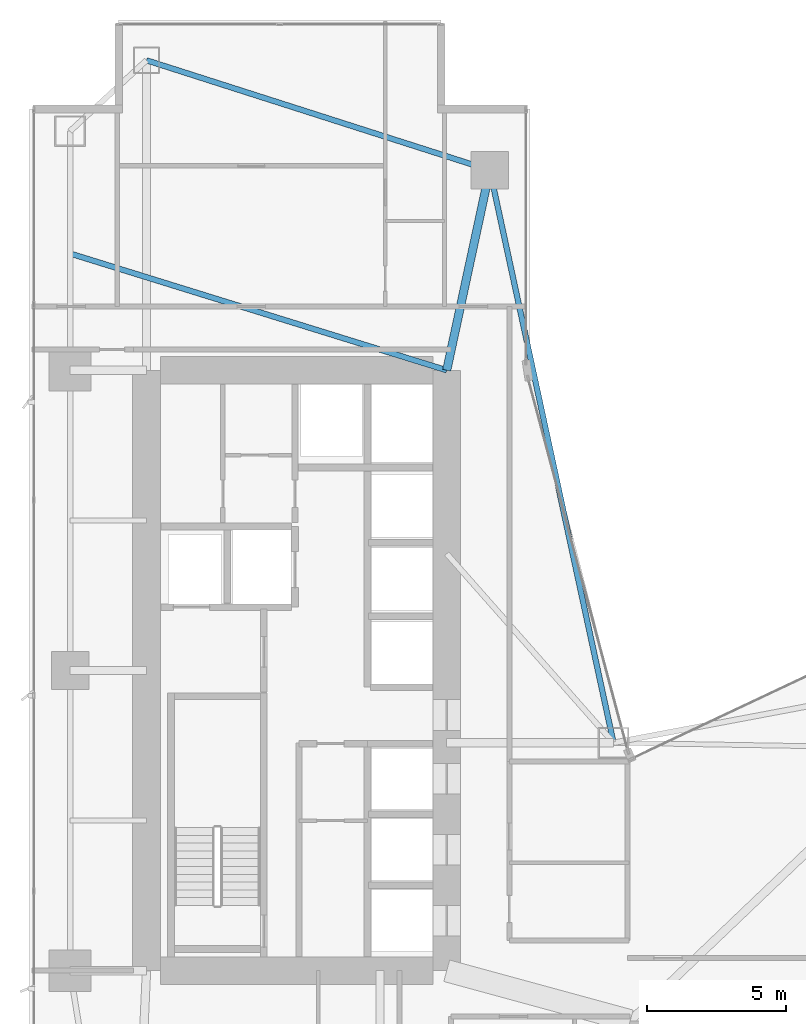
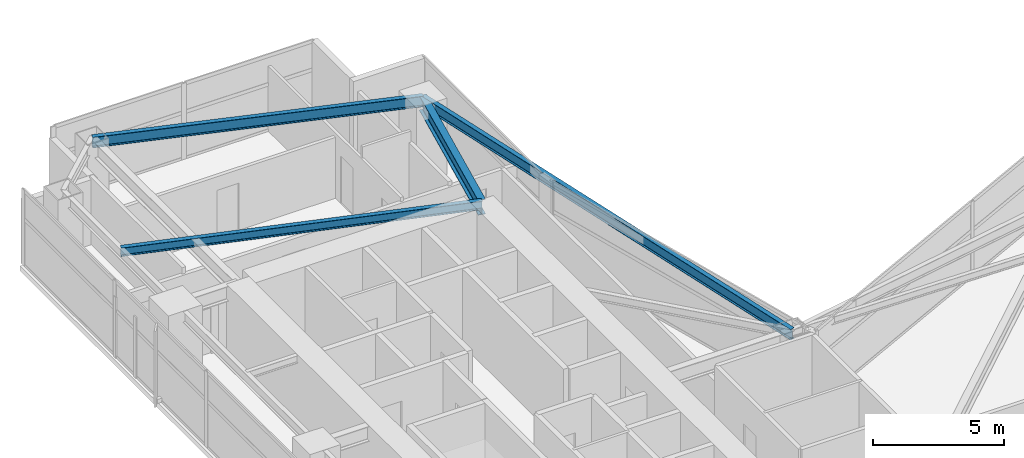
# One storey, part 17 of 30: 4 beams.
"""IFC4 building model written with IfcOpenShell, lengths in metres."""

from ifc_helpers import new_model, si_unit, direction, frame, origin, origin_2d, place, context, subcontext, project, spatial, i_section, extrude, material, material_profile, profile_set, type_object, element, save


model = new_model("IFC4")

# Units and contexts
model_context = context("Model", 3, precision=1e-05, world=origin(), true_north=direction((0.0, 1.0)))
body_context = subcontext(model_context, "Body", "Model", "MODEL_VIEW")
ifc_project = project(units=[si_unit("LENGTHUNIT", "METRE"), si_unit("AREAUNIT", "SQUARE_METRE"), si_unit("VOLUMEUNIT", "CUBIC_METRE"), si_unit("PLANEANGLEUNIT", "RADIAN"), si_unit("MASSUNIT", "GRAM", prefix="KILO")], contexts=[model_context])

# Site, building, storey
site_placement = place(None, origin())
site = spatial("IfcSite", under=ifc_project, at=site_placement, CompositionType="ELEMENT")
building_placement = place(site_placement, origin())
building = spatial("IfcBuilding", under=site, at=building_placement, Name="Calvorn Quay Hotel", CompositionType="ELEMENT")
storey_placement = place(building_placement, frame((0.0, 0.0, 27.0)))
storey = spatial("IfcBuildingStorey", under=building, at=storey_placement, Name="L05", CompositionType="ELEMENT", Elevation=27.0)

# Beams
ifc_material_1 = material(Name="Steel Q390GJC", Category="steel")
ifc_material_profile_1 = material_profile(ifc_material_1, i_section(OverallWidth=0.300048828125, OverallDepth=0.699951171875, WebThickness=0.012939453125, FlangeThickness=0.02392578125, FilletRadius=0.02392578125, at=origin_2d()), Name="HN700x300x13x24")
ifc_profile_set_1 = profile_set([ifc_material_profile_1], Name="Steel Q390GJC")
beam_type_1 = type_object("IfcBeamType", Name="BM-GIRD-MAIN", PredefinedType="BEAM", material=ifc_profile_set_1)
beam_1_placement = place(storey_placement, frame((16.550048828125, 45.60009765625, 3.18994140625), z_axis=(-0.210457140491, -0.97760308511, 0.0), x_axis=(0.97760308511, -0.210457140491, 0.0)))
element("IfcBeam", 1, at=beam_1_placement, inside=storey, type_object=beam_type_1, Name="Beam BG-L05-W6", PredefinedType="BEAM", context=body_context, shape_type="SweptSolid", body=[
    extrude(i_section(OverallWidth=0.300048828125, OverallDepth=0.699951171875, WebThickness=0.012939453125, FlangeThickness=0.02392578125, FilletRadius=0.02392578125, at=origin_2d()), origin(), (0.0, 0.0, 1.0), 7.365234375),
])
ifc_material_2 = material(Name="Steel Q355B", Category="steel")
ifc_material_profile_2 = material_profile(ifc_material_2, i_section(OverallWidth=0.199951171875, OverallDepth=0.39990234375, WebThickness=0.008056640625, FlangeThickness=0.012939453125, FilletRadius=0.01611328125, at=origin_2d()), Name="HN400x200x8x13")
ifc_profile_set_2 = profile_set([ifc_material_profile_2], Name="Steel Q355B")
beam_type_2 = type_object("IfcBeamType", Name="BM-JOIST-TYP", PredefinedType="JOIST", material=ifc_profile_set_2)
beam_2_placement = place(storey_placement, frame((1.449951171875, 42.60009765625, 3.340087890625), z_axis=(0.955163702122, -0.296078202759, 0.0), x_axis=(0.296078202759, 0.955163702122, 0.0)))
element("IfcBeam", 2, at=beam_2_placement, inside=storey, type_object=beam_type_2, Name="Beam BJ-L05-W2", PredefinedType="JOIST", context=body_context, shape_type="SweptSolid", body=[
    extrude(i_section(OverallWidth=0.199951171875, OverallDepth=0.39990234375, WebThickness=0.008056640625, FlangeThickness=0.012939453125, FilletRadius=0.01611328125, at=origin_2d()), origin(), (0.0, 0.0, 1.0), 14.18603515625),
])
ifc_material_3 = material(Name="Steel Q355B", Category="steel")
ifc_material_profile_3 = material_profile(ifc_material_3, i_section(OverallWidth=0.199951171875, OverallDepth=0.5, WebThickness=0.010009765625, FlangeThickness=0.01611328125, FilletRadius=0.01611328125, at=origin_2d()), Name="HN500x200x10x16")
ifc_profile_set_3 = profile_set([ifc_material_profile_3], Name="Steel Q355B")
beam_type_3 = type_object("IfcBeamType", Name="BM-SPANDREL-Z1", PredefinedType="SPANDREL", material=ifc_profile_set_3)
beam_3_placement = place(storey_placement, frame((4.199951171875, 49.550048828125, 3.2900390625), z_axis=(0.952470702374, -0.304630203885, 0.0), x_axis=(0.304630203885, 0.952470702374, 0.0)))
element("IfcBeam", 3, at=beam_3_placement, inside=storey, type_object=beam_type_3, Name="Beam BSP-L05-W6", PredefinedType="SPANDREL", context=body_context, shape_type="SweptSolid", body=[
    extrude(i_section(OverallWidth=0.199951171875, OverallDepth=0.5, WebThickness=0.010009765625, FlangeThickness=0.01611328125, FilletRadius=0.01611328125, at=origin_2d()), origin(), (0.0, 0.0, 1.0), 12.96630859375),
])
beam_4_placement = place(storey_placement, frame((16.550048828125, 45.60009765625, 3.2900390625), z_axis=(0.211145848376, -0.977454567084, 0.0), x_axis=(0.977454567084, 0.211145848376, 0.0)))
element("IfcBeam", 4, at=beam_4_placement, inside=storey, type_object=beam_type_3, Name="Beam BSP-L05-W7", PredefinedType="SPANDREL", context=body_context, shape_type="SweptSolid", body=[
    extrude(i_section(OverallWidth=0.199951171875, OverallDepth=0.5, WebThickness=0.010009765625, FlangeThickness=0.01611328125, FilletRadius=0.01611328125, at=origin_2d()), origin(), (0.0, 0.0, 1.0), 21.0751953125),
])

save(model, "model.ifc")
